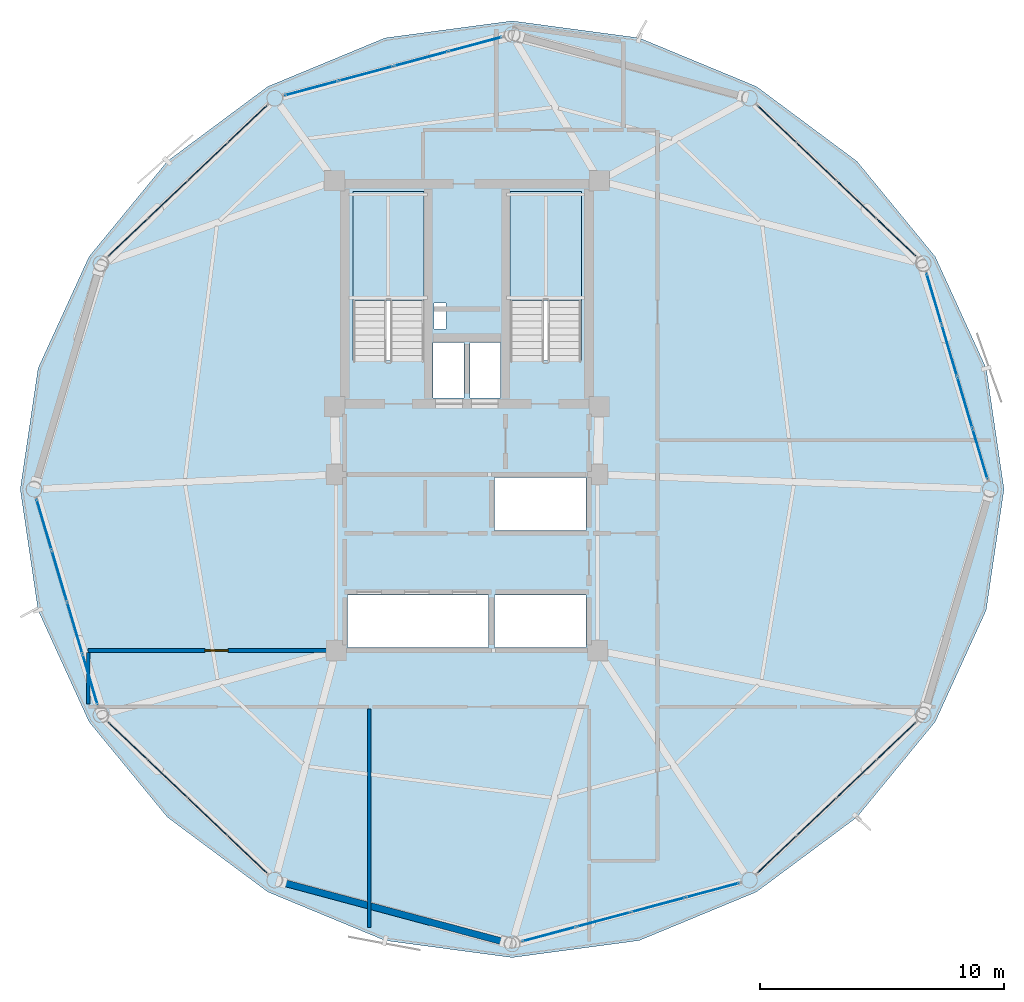
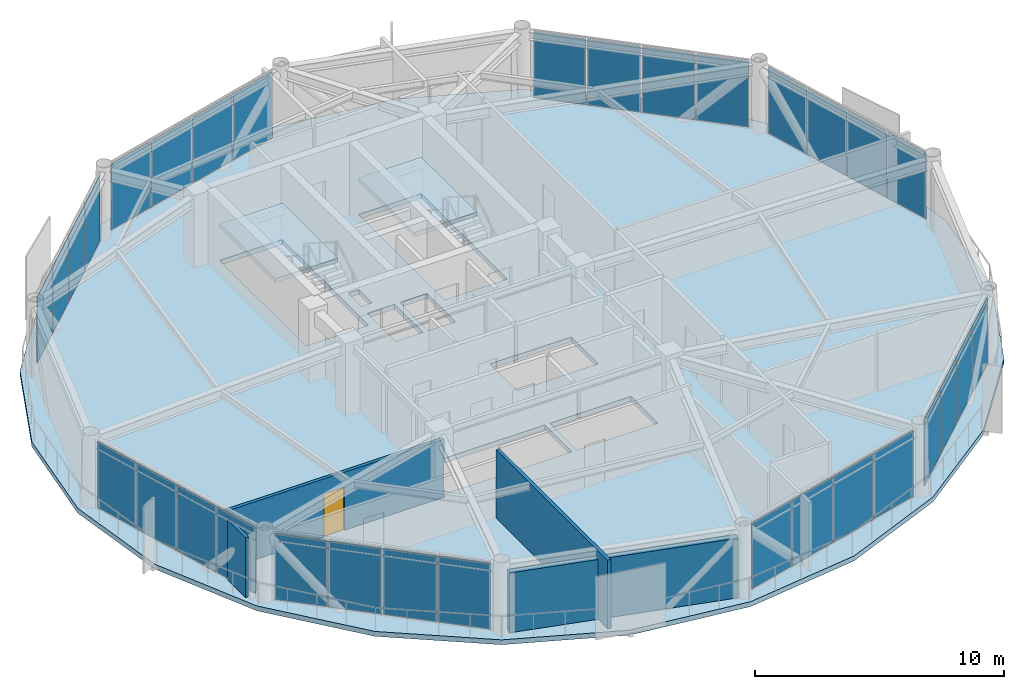
# One storey, part 23 of 29: 32 plates, 4 walls, 3 slabs, 1 door, 1 opening, 10 elements without a shape of their own.
"""IFC4 building model written with IfcOpenShell, lengths in metres."""

from ifc_helpers import new_model, si_unit, direction, frame, frame_2d, origin, origin_2d, place, context, subcontext, project, spatial, polyline, rectangle, outline, extrude, source, transform, mapped, material, layer, layer_set, type_object, type_shapes, element, fill, aggregate, save


model = new_model("IFC4")

# Units and contexts
model_context = context("Model", 3, precision=1e-05, world=origin(), true_north=direction((0.0, 1.0)))
body_context = subcontext(model_context, "Body", "Model", "MODEL_VIEW")
ifc_project = project(units=[si_unit("LENGTHUNIT", "METRE"), si_unit("AREAUNIT", "SQUARE_METRE"), si_unit("VOLUMEUNIT", "CUBIC_METRE"), si_unit("PLANEANGLEUNIT", "RADIAN"), si_unit("MASSUNIT", "GRAM", prefix="KILO")], contexts=[model_context])

# Site, building, storey
site_placement = place(None, origin())
site = spatial("IfcSite", under=ifc_project, at=site_placement, CompositionType="ELEMENT")
building_placement = place(site_placement, origin())
building = spatial("IfcBuilding", under=site, at=building_placement, Name="Varnakorn Sky Granary", CompositionType="ELEMENT")
storey_placement = place(building_placement, frame((0.0, 0.0, 189.60009765625)))
storey = spatial("IfcBuildingStorey", under=building, at=storey_placement, Name="L47", CompositionType="ELEMENT", Elevation=189.60009765625)

# Stair, slab
ifc_material_1 = material(Name="Concrete C40/50", Category="concrete")
stair_type = type_object("IfcStairType", Name="ST-MAIN-ASSEMBLY", PredefinedType="HALF_TURN_STAIR", material=ifc_material_1)
stair_1_placement = place(storey_placement, origin())
stair_1 = element("IfcStair", 1, at=stair_1_placement, inside=storey, type_object=stair_type, Name="L47 Protected Exit Stair ST-1", PredefinedType="HALF_TURN_STAIR")
ifc_layer_1 = layer(ifc_material_1, 0.199951171875, Name="Concrete C40/50")
ifc_layer_set_1 = layer_set([ifc_layer_1], Name="Concrete C40/50")
slab_type_1 = type_object("IfcSlabType", Name="ST-MAIN-LAND", PredefinedType="LANDING", material=ifc_layer_set_1)
slab_1_placement = place(storey_placement, frame((0.0, 0.0, 1.599853515625)))
slab_1 = element("IfcSlab", 2, at=slab_1_placement, type_object=slab_type_1, Name="ST-1 landing 1", PredefinedType="LANDING", context=body_context, shape_type="SweptSolid", body=[
    extrude(outline(polyline([(1.239990234375, 7.719970703125), (1.239990234375, 12.179931640625), (-1.669921875, 12.179931640625), (-1.669921875, 7.719970703125), (1.239990234375, 7.719970703125)])), origin(), (0.0, 0.0, 1.0), 0.199951171875),
])
aggregate(stair_1, [slab_1])

stair_2_placement = place(storey_placement, origin())
stair_2 = element("IfcStair", 3, at=stair_2_placement, inside=storey, type_object=stair_type, Name="L47 Protected Exit Stair ST-2", PredefinedType="HALF_TURN_STAIR")
slab_2_placement = place(storey_placement, frame((0.0, 0.0, 1.599853515625)))
slab_2 = element("IfcSlab", 4, at=slab_2_placement, type_object=slab_type_1, Name="ST-2 landing 1", PredefinedType="LANDING", context=body_context, shape_type="SweptSolid", body=[
    extrude(outline(polyline([(7.679931640625, 7.719970703125), (7.679931640625, 12.179931640625), (4.77001953125, 12.179931640625), (4.77001953125, 7.719970703125), (7.679931640625, 7.719970703125)])), origin(), (0.0, 0.0, 1.0), 0.199951171875),
])
aggregate(stair_2, [slab_2])

# Slab
ifc_material_2 = material(Name="Concrete C50/60", Category="concrete")
ifc_layer_2 = layer(ifc_material_2, 0.239990234375, Name="Concrete C50/60")
ifc_layer_set_2 = layer_set([ifc_layer_2], Name="Concrete C50/60")
slab_type_2 = type_object("IfcSlabType", Name="ST-SL-TWR-240", PredefinedType="FLOOR", material=ifc_layer_set_2)
slab_3_placement = place(storey_placement, frame((0.0, 0.0, -0.239990234375)))
element("IfcSlab", 5, at=slab_3_placement, inside=storey, type_object=slab_type_2, Name="Level L47 Structural Floor Slab", PredefinedType="FLOOR", context=body_context, shape_type="SweptSolid", body=[
    extrude(outline(polyline([(24.97900390625, 0.0), (24.249755859375, 4.948486328125), (22.165283203125, 9.514892578125), (18.9560546875, 13.42431640625), (14.846923828125, 16.48046875), (10.048095703125, 18.468505859375), (4.85009765625, 19.1650390625), (-0.34814453125, 18.468505859375), (-5.14697265625, 16.48046875), (-9.256103515625, 13.42431640625), (-12.46533203125, 9.514892578125), (-14.5498046875, 4.948486328125), (-15.279052734375, 0.0), (-14.5498046875, -4.948486328125), (-12.46533203125, -9.514892578125), (-9.256103515625, -13.42431640625), (-5.14697265625, -16.48046875), (-0.34814453125, -18.468505859375), (4.85009765625, -19.1650390625), (10.048095703125, -18.468505859375), (14.846923828125, -16.48046875), (18.9560546875, -13.42431640625), (22.165283203125, -9.514892578125), (24.249755859375, -4.948486328125), (24.97900390625, 0.0)]), holes=[polyline([(1.239990234375, 5.27490234375), (1.239990234375, 12.179931640625), (-1.669921875, 12.179931640625), (-1.669921875, 5.27490234375), (1.239990234375, 5.27490234375)]), polyline([(7.679931640625, 5.27490234375), (7.679931640625, 12.179931640625), (4.77001953125, 12.179931640625), (4.77001953125, 5.27490234375), (7.679931640625, 5.27490234375)]), polyline([(1.659912109375, 6.550048828125), (2.14990234375, 6.550048828125), (2.14990234375, 7.6201171875), (1.659912109375, 7.6201171875), (1.659912109375, 6.550048828125)]), polyline([(1.6201171875, 3.739990234375), (2.8798828125, 3.739990234375), (2.8798828125, 6.010009765625), (1.6201171875, 6.010009765625), (1.6201171875, 3.739990234375)]), polyline([(3.1201171875, 3.739990234375), (4.3798828125, 3.739990234375), (4.3798828125, 6.010009765625), (3.1201171875, 6.010009765625), (3.1201171875, 3.739990234375)]), polyline([(4.1201171875, -1.679931640625), (7.8798828125, -1.679931640625), (7.8798828125, 0.47998046875), (4.1201171875, 0.47998046875), (4.1201171875, -1.679931640625)]), polyline([(-1.8798828125, -6.47998046875), (3.8798828125, -6.47998046875), (3.8798828125, -4.320068359375), (-1.8798828125, -4.320068359375), (-1.8798828125, -6.47998046875)]), polyline([(4.1201171875, -6.47998046875), (7.8798828125, -6.47998046875), (7.8798828125, -4.320068359375), (4.1201171875, -4.320068359375), (4.1201171875, -6.47998046875)])]), origin(), (0.0, 0.0, 1.0), 0.239990234375),
])

# Curtain wall, plates
ifc_material_3 = material(Name="Anodised Bronze Aluminium Alloy 6063-T6", Category="aluminium")
ifc_layer_3 = layer(ifc_material_3, 0.169921875, Name="Anodised Bronze Aluminium Alloy 6063-T6")
ifc_layer_set_3 = layer_set([ifc_layer_3], Name="Anodised Bronze Aluminium Alloy 6063-T6")
curtain_wall_type = type_object("IfcCurtainWallType", Name="CW-LAB-1", PredefinedType="USERDEFINED", material=ifc_layer_set_3)
curtain_wall_1_placement = place(storey_placement, origin())
curtain_wall_1 = element("IfcCurtainWall", 6, at=curtain_wall_1_placement, inside=storey, type_object=curtain_wall_type, Name="Unitised Curtain Wall CW5 CW-L47-B01", ObjectType="CURTAIN WALL", PredefinedType="USERDEFINED")
ifc_material_4 = material(Name="Opaque Insulated Aluminium Shadow-Box Unit", Category="aluminium")
ifc_layer_4 = layer(ifc_material_4, 0.033935546875, Name="Opaque Insulated Aluminium Shadow-Box Unit")
ifc_layer_set_4 = layer_set([ifc_layer_4], Name="Opaque Insulated Aluminium Shadow-Box Unit")
plate_type = type_object("IfcPlateType", Name="CW-LAB-1-PNL", PredefinedType="CURTAIN_PANEL")
shared_shape_1 = source(origin(), body_context, "Body", "SweptSolid", [
    extrude(rectangle(XDim=2.116943359375, YDim=0.033935546875, at=origin_2d()), origin(), (0.0, 0.0, 1.0), 3.219970703125),
])
plate_1_placement = place(storey_placement, frame((22.119384765625, 7.7890625, 0.06982421875), z_axis=(0.0, 0.0, 1.0), x_axis=(0.284295123796, -0.958736816121, 0.0)))
plate_1 = element("IfcPlate", 7, at=plate_1_placement, type_object=plate_type, material=ifc_layer_set_4, Name="CW5 opaque insulated shadow-box unit 1.1", PredefinedType="CURTAIN_PANEL", context=body_context, shape_type="MappedRepresentation", body=[
    mapped(shared_shape_1, transform((0.0, 0.0, 0.0), x_axis=(1.0, 0.0, 0.0), y_axis=(0.0, 1.0, 0.0), z_axis=(0.0, 0.0, 1.0), scale=1.0)),
])
ifc_material_5 = material(Name="Low-E Tinted Laminated Glass", Category="glass")
ifc_layer_5 = layer(ifc_material_5, 0.033935546875, Name="Low-E Tinted Laminated Glass")
ifc_layer_set_5 = layer_set([ifc_layer_5], Name="Low-E Tinted Laminated Glass")
plate_2_placement = place(storey_placement, frame((23.998779296875, 1.450927734375, 0.06982421875), z_axis=(0.0, 0.0, 1.0), x_axis=(0.284295123796, -0.958736816121, 0.0)))
plate_2 = element("IfcPlate", 8, at=plate_2_placement, type_object=plate_type, material=ifc_layer_set_5, Name="CW5 vision glazing unit 4.1", PredefinedType="CURTAIN_PANEL", context=body_context, shape_type="MappedRepresentation", body=[
    mapped(shared_shape_1, transform((0.0, 0.0, 0.0), x_axis=(1.0, 0.0, 0.0), y_axis=(0.0, 1.0, 0.0), z_axis=(0.0, 0.0, 1.0), scale=1.0)),
])

curtain_wall_2_placement = place(storey_placement, origin())
curtain_wall_2 = element("IfcCurtainWall", 9, at=curtain_wall_2_placement, inside=storey, type_object=curtain_wall_type, Name="Unitised Curtain Wall CW5 CW-L47-B07", ObjectType="CURTAIN WALL", PredefinedType="USERDEFINED")
plate_3_placement = place(storey_placement, frame((-12.419189453125, -7.7890625, 0.06982421875), z_axis=(0.0, 0.0, 1.0), x_axis=(-0.284295123796, 0.958736816121, 0.0)))
plate_3 = element("IfcPlate", 10, at=plate_3_placement, type_object=plate_type, material=ifc_layer_set_4, Name="CW5 opaque insulated shadow-box unit 1.1", PredefinedType="CURTAIN_PANEL", context=body_context, shape_type="MappedRepresentation", body=[
    mapped(shared_shape_1, transform((0.0, 0.0, 0.0), x_axis=(1.0, 0.0, 0.0), y_axis=(0.0, 1.0, 0.0), z_axis=(0.0, 0.0, 1.0), scale=1.0)),
])
plate_4_placement = place(storey_placement, frame((-14.298583984375, -1.450927734375, 0.06982421875), z_axis=(0.0, 0.0, 1.0), x_axis=(-0.284295123796, 0.958736816121, 0.0)))
plate_4 = element("IfcPlate", 11, at=plate_4_placement, type_object=plate_type, material=ifc_layer_set_5, Name="CW5 vision glazing unit 4.1", PredefinedType="CURTAIN_PANEL", context=body_context, shape_type="MappedRepresentation", body=[
    mapped(shared_shape_1, transform((0.0, 0.0, 0.0), x_axis=(1.0, 0.0, 0.0), y_axis=(0.0, 1.0, 0.0), z_axis=(0.0, 0.0, 1.0), scale=1.0)),
])

# Plate
shared_shape_2 = source(origin(), body_context, "Body", "SweptSolid", [
    extrude(rectangle(XDim=2.1494140625, YDim=0.033935546875, at=origin_2d()), origin(), (0.0, 0.0, 1.0), 3.219970703125),
])
plate_5_placement = place(storey_placement, frame((22.744140625, 5.681640625, 0.06982421875), z_axis=(0.0, 0.0, 1.0), x_axis=(0.284295123796, -0.958736816121, 0.0)))
plate_5 = element("IfcPlate", 12, at=plate_5_placement, type_object=plate_type, material=ifc_layer_set_4, Name="CW5 opaque insulated shadow-box unit 2.1", PredefinedType="CURTAIN_PANEL", context=body_context, shape_type="MappedRepresentation", body=[
    mapped(shared_shape_2, transform((0.0, 0.0, 0.0), x_axis=(1.0, 0.0, 0.0), y_axis=(0.0, 1.0, 0.0), z_axis=(0.0, 0.0, 1.0), scale=1.0)),
])

plate_6_placement = place(storey_placement, frame((23.373779296875, 3.55859375, 0.06982421875), z_axis=(0.0, 0.0, 1.0), x_axis=(0.284295123796, -0.958736816121, 0.0)))
plate_6 = element("IfcPlate", 13, at=plate_6_placement, type_object=plate_type, material=ifc_layer_set_5, Name="CW5 vision glazing unit 3.1", PredefinedType="CURTAIN_PANEL", context=body_context, shape_type="MappedRepresentation", body=[
    mapped(shared_shape_2, transform((0.0, 0.0, 0.0), x_axis=(1.0, 0.0, 0.0), y_axis=(0.0, 1.0, 0.0), z_axis=(0.0, 0.0, 1.0), scale=1.0)),
])

aggregate(curtain_wall_1, [plate_1, plate_5, plate_6, plate_2])

plate_7_placement = place(storey_placement, frame((-13.044189453125, -5.681640625, 0.06982421875), z_axis=(0.0, 0.0, 1.0), x_axis=(-0.284295123796, 0.958736816121, 0.0)))
plate_7 = element("IfcPlate", 14, at=plate_7_placement, type_object=plate_type, material=ifc_layer_set_4, Name="CW5 opaque insulated shadow-box unit 2.1", PredefinedType="CURTAIN_PANEL", context=body_context, shape_type="MappedRepresentation", body=[
    mapped(shared_shape_2, transform((0.0, 0.0, 0.0), x_axis=(1.0, 0.0, 0.0), y_axis=(0.0, 1.0, 0.0), z_axis=(0.0, 0.0, 1.0), scale=1.0)),
])

plate_8_placement = place(storey_placement, frame((-13.673828125, -3.55859375, 0.06982421875), z_axis=(0.0, 0.0, 1.0), x_axis=(-0.284295123796, 0.958736816121, 0.0)))
plate_8 = element("IfcPlate", 15, at=plate_8_placement, type_object=plate_type, material=ifc_layer_set_5, Name="CW5 vision glazing unit 3.1", PredefinedType="CURTAIN_PANEL", context=body_context, shape_type="MappedRepresentation", body=[
    mapped(shared_shape_2, transform((0.0, 0.0, 0.0), x_axis=(1.0, 0.0, 0.0), y_axis=(0.0, 1.0, 0.0), z_axis=(0.0, 0.0, 1.0), scale=1.0)),
])

aggregate(curtain_wall_2, [plate_3, plate_7, plate_8, plate_4])

# Curtain wall, plates
curtain_wall_3_placement = place(storey_placement, origin())
curtain_wall_3 = element("IfcCurtainWall", 16, at=curtain_wall_3_placement, inside=storey, type_object=curtain_wall_type, Name="Unitised Curtain Wall CW5 CW-L47-B02", ObjectType="CURTAIN WALL", PredefinedType="USERDEFINED")
shared_shape_3 = source(origin(), body_context, "Body", "SweptSolid", [
    extrude(rectangle(XDim=2.162109375, YDim=0.033935546875, at=origin_2d()), origin(), (0.0, 0.0, 1.0), 3.219970703125),
])
plate_9_placement = place(storey_placement, frame((15.685546875, 14.94580078125, 0.06982421875), z_axis=(0.0, 0.0, 1.0), x_axis=(0.724851357674, -0.688905297757, 0.0)))
plate_9 = element("IfcPlate", 17, at=plate_9_placement, type_object=plate_type, material=ifc_layer_set_5, Name="CW5 vision glazing unit 1.1", PredefinedType="CURTAIN_PANEL", context=body_context, shape_type="MappedRepresentation", body=[
    mapped(shared_shape_3, transform((0.0, 0.0, 0.0), x_axis=(1.0, 0.0, 0.0), y_axis=(0.0, 1.0, 0.0), z_axis=(0.0, 0.0, 1.0), scale=1.0)),
])
plate_10_placement = place(storey_placement, frame((20.57568359375, 10.29833984375, 0.06982421875), z_axis=(0.0, 0.0, 1.0), x_axis=(0.724851357674, -0.688905297757, 0.0)))
plate_10 = element("IfcPlate", 18, at=plate_10_placement, type_object=plate_type, material=ifc_layer_set_4, Name="CW5 opaque insulated shadow-box unit 4.1", PredefinedType="CURTAIN_PANEL", context=body_context, shape_type="MappedRepresentation", body=[
    mapped(shared_shape_3, transform((0.0, 0.0, 0.0), x_axis=(1.0, 0.0, 0.0), y_axis=(0.0, 1.0, 0.0), z_axis=(0.0, 0.0, 1.0), scale=1.0)),
])

curtain_wall_4_placement = place(storey_placement, origin())
curtain_wall_4 = element("IfcCurtainWall", 19, at=curtain_wall_4_placement, inside=storey, type_object=curtain_wall_type, Name="Unitised Curtain Wall CW5 CW-L47-B05", ObjectType="CURTAIN WALL", PredefinedType="USERDEFINED")
plate_11_placement = place(storey_placement, frame((-10.87548828125, 10.29833984375, 0.06982421875), z_axis=(0.0, 0.0, 1.0), x_axis=(0.724851357674, 0.688905297757, 0.0)))
plate_11 = element("IfcPlate", 20, at=plate_11_placement, type_object=plate_type, material=ifc_layer_set_4, Name="CW5 opaque insulated shadow-box unit 1.1", PredefinedType="CURTAIN_PANEL", context=body_context, shape_type="MappedRepresentation", body=[
    mapped(shared_shape_3, transform((0.0, 0.0, 0.0), x_axis=(1.0, 0.0, 0.0), y_axis=(0.0, 1.0, 0.0), z_axis=(0.0, 0.0, 1.0), scale=1.0)),
])
plate_12_placement = place(storey_placement, frame((-5.9853515625, 14.94580078125, 0.06982421875), z_axis=(0.0, 0.0, 1.0), x_axis=(0.724851357674, 0.688905297757, 0.0)))
plate_12 = element("IfcPlate", 21, at=plate_12_placement, type_object=plate_type, material=ifc_layer_set_5, Name="CW5 vision glazing unit 4.1", PredefinedType="CURTAIN_PANEL", context=body_context, shape_type="MappedRepresentation", body=[
    mapped(shared_shape_3, transform((0.0, 0.0, 0.0), x_axis=(1.0, 0.0, 0.0), y_axis=(0.0, 1.0, 0.0), z_axis=(0.0, 0.0, 1.0), scale=1.0)),
])

curtain_wall_5_placement = place(storey_placement, origin())
curtain_wall_5 = element("IfcCurtainWall", 22, at=curtain_wall_5_placement, inside=storey, type_object=curtain_wall_type, Name="Unitised Curtain Wall CW5 CW-L47-B08", ObjectType="CURTAIN WALL", PredefinedType="USERDEFINED")
plate_13_placement = place(storey_placement, frame((-5.9853515625, -14.94580078125, 0.06982421875), z_axis=(0.0, 0.0, 1.0), x_axis=(-0.724851357674, 0.688905297757, 0.0)))
plate_13 = element("IfcPlate", 23, at=plate_13_placement, type_object=plate_type, material=ifc_layer_set_5, Name="CW5 vision glazing unit 1.1", PredefinedType="CURTAIN_PANEL", context=body_context, shape_type="MappedRepresentation", body=[
    mapped(shared_shape_3, transform((0.0, 0.0, 0.0), x_axis=(1.0, 0.0, 0.0), y_axis=(0.0, 1.0, 0.0), z_axis=(0.0, 0.0, 1.0), scale=1.0)),
])
plate_14_placement = place(storey_placement, frame((-10.87548828125, -10.29833984375, 0.06982421875), z_axis=(0.0, 0.0, 1.0), x_axis=(-0.724851357674, 0.688905297757, 0.0)))
plate_14 = element("IfcPlate", 24, at=plate_14_placement, type_object=plate_type, material=ifc_layer_set_4, Name="CW5 opaque insulated shadow-box unit 4.1", PredefinedType="CURTAIN_PANEL", context=body_context, shape_type="MappedRepresentation", body=[
    mapped(shared_shape_3, transform((0.0, 0.0, 0.0), x_axis=(1.0, 0.0, 0.0), y_axis=(0.0, 1.0, 0.0), z_axis=(0.0, 0.0, 1.0), scale=1.0)),
])

curtain_wall_6_placement = place(storey_placement, origin())
curtain_wall_6 = element("IfcCurtainWall", 25, at=curtain_wall_6_placement, inside=storey, type_object=curtain_wall_type, Name="Unitised Curtain Wall CW5 CW-L47-B11", ObjectType="CURTAIN WALL", PredefinedType="USERDEFINED")
plate_15_placement = place(storey_placement, frame((20.57568359375, -10.29833984375, 0.06982421875), z_axis=(0.0, 0.0, 1.0), x_axis=(-0.724851357674, -0.688905297757, 0.0)))
plate_15 = element("IfcPlate", 26, at=plate_15_placement, type_object=plate_type, material=ifc_layer_set_4, Name="CW5 opaque insulated shadow-box unit 1.1", PredefinedType="CURTAIN_PANEL", context=body_context, shape_type="MappedRepresentation", body=[
    mapped(shared_shape_3, transform((0.0, 0.0, 0.0), x_axis=(1.0, 0.0, 0.0), y_axis=(0.0, 1.0, 0.0), z_axis=(0.0, 0.0, 1.0), scale=1.0)),
])
plate_16_placement = place(storey_placement, frame((15.685546875, -14.94580078125, 0.06982421875), z_axis=(0.0, 0.0, 1.0), x_axis=(-0.724851357674, -0.688905297757, 0.0)))
plate_16 = element("IfcPlate", 27, at=plate_16_placement, type_object=plate_type, material=ifc_layer_set_5, Name="CW5 vision glazing unit 4.1", PredefinedType="CURTAIN_PANEL", context=body_context, shape_type="MappedRepresentation", body=[
    mapped(shared_shape_3, transform((0.0, 0.0, 0.0), x_axis=(1.0, 0.0, 0.0), y_axis=(0.0, 1.0, 0.0), z_axis=(0.0, 0.0, 1.0), scale=1.0)),
])

# Plate
shared_shape_4 = source(origin(), body_context, "Body", "SweptSolid", [
    extrude(rectangle(XDim=2.194580078125, YDim=0.033935546875, at=origin_2d()), origin(), (0.0, 0.0, 1.0), 3.219970703125),
])
plate_17_placement = place(storey_placement, frame((17.3115234375, 13.400390625, 0.06982421875), z_axis=(0.0, 0.0, 1.0), x_axis=(0.724851357674, -0.688905297757, 0.0)))
plate_17 = element("IfcPlate", 28, at=plate_17_placement, type_object=plate_type, material=ifc_layer_set_5, Name="CW5 vision glazing unit 2.1", PredefinedType="CURTAIN_PANEL", context=body_context, shape_type="MappedRepresentation", body=[
    mapped(shared_shape_4, transform((0.0, 0.0, 0.0), x_axis=(1.0, 0.0, 0.0), y_axis=(0.0, 1.0, 0.0), z_axis=(0.0, 0.0, 1.0), scale=1.0)),
])

plate_18_placement = place(storey_placement, frame((18.949462890625, 11.84375, 0.06982421875), z_axis=(0.0, 0.0, 1.0), x_axis=(0.724851357674, -0.688905297757, 0.0)))
plate_18 = element("IfcPlate", 29, at=plate_18_placement, type_object=plate_type, material=ifc_layer_set_4, Name="CW5 opaque insulated shadow-box unit 3.1", PredefinedType="CURTAIN_PANEL", context=body_context, shape_type="MappedRepresentation", body=[
    mapped(shared_shape_4, transform((0.0, 0.0, 0.0), x_axis=(1.0, 0.0, 0.0), y_axis=(0.0, 1.0, 0.0), z_axis=(0.0, 0.0, 1.0), scale=1.0)),
])

aggregate(curtain_wall_3, [plate_9, plate_17, plate_18, plate_10])

plate_19_placement = place(storey_placement, frame((-9.24951171875, 11.84375, 0.06982421875), z_axis=(0.0, 0.0, 1.0), x_axis=(0.724851357674, 0.688905297757, 0.0)))
plate_19 = element("IfcPlate", 30, at=plate_19_placement, type_object=plate_type, material=ifc_layer_set_4, Name="CW5 opaque insulated shadow-box unit 2.1", PredefinedType="CURTAIN_PANEL", context=body_context, shape_type="MappedRepresentation", body=[
    mapped(shared_shape_4, transform((0.0, 0.0, 0.0), x_axis=(1.0, 0.0, 0.0), y_axis=(0.0, 1.0, 0.0), z_axis=(0.0, 0.0, 1.0), scale=1.0)),
])

plate_20_placement = place(storey_placement, frame((-7.611572265625, 13.400390625, 0.06982421875), z_axis=(0.0, 0.0, 1.0), x_axis=(0.724851357674, 0.688905297757, 0.0)))
plate_20 = element("IfcPlate", 31, at=plate_20_placement, type_object=plate_type, material=ifc_layer_set_5, Name="CW5 vision glazing unit 3.1", PredefinedType="CURTAIN_PANEL", context=body_context, shape_type="MappedRepresentation", body=[
    mapped(shared_shape_4, transform((0.0, 0.0, 0.0), x_axis=(1.0, 0.0, 0.0), y_axis=(0.0, 1.0, 0.0), z_axis=(0.0, 0.0, 1.0), scale=1.0)),
])

aggregate(curtain_wall_4, [plate_11, plate_19, plate_20, plate_12])

plate_21_placement = place(storey_placement, frame((-7.611572265625, -13.400390625, 0.06982421875), z_axis=(0.0, 0.0, 1.0), x_axis=(-0.724851357674, 0.688905297757, 0.0)))
plate_21 = element("IfcPlate", 32, at=plate_21_placement, type_object=plate_type, material=ifc_layer_set_5, Name="CW5 vision glazing unit 2.1", PredefinedType="CURTAIN_PANEL", context=body_context, shape_type="MappedRepresentation", body=[
    mapped(shared_shape_4, transform((0.0, 0.0, 0.0), x_axis=(1.0, 0.0, 0.0), y_axis=(0.0, 1.0, 0.0), z_axis=(0.0, 0.0, 1.0), scale=1.0)),
])

plate_22_placement = place(storey_placement, frame((-9.24951171875, -11.84375, 0.06982421875), z_axis=(0.0, 0.0, 1.0), x_axis=(-0.724851357674, 0.688905297757, 0.0)))
plate_22 = element("IfcPlate", 33, at=plate_22_placement, type_object=plate_type, material=ifc_layer_set_4, Name="CW5 opaque insulated shadow-box unit 3.1", PredefinedType="CURTAIN_PANEL", context=body_context, shape_type="MappedRepresentation", body=[
    mapped(shared_shape_4, transform((0.0, 0.0, 0.0), x_axis=(1.0, 0.0, 0.0), y_axis=(0.0, 1.0, 0.0), z_axis=(0.0, 0.0, 1.0), scale=1.0)),
])

aggregate(curtain_wall_5, [plate_13, plate_21, plate_22, plate_14])

plate_23_placement = place(storey_placement, frame((18.949462890625, -11.84375, 0.06982421875), z_axis=(0.0, 0.0, 1.0), x_axis=(-0.724851357674, -0.688905297757, 0.0)))
plate_23 = element("IfcPlate", 34, at=plate_23_placement, type_object=plate_type, material=ifc_layer_set_4, Name="CW5 opaque insulated shadow-box unit 2.1", PredefinedType="CURTAIN_PANEL", context=body_context, shape_type="MappedRepresentation", body=[
    mapped(shared_shape_4, transform((0.0, 0.0, 0.0), x_axis=(1.0, 0.0, 0.0), y_axis=(0.0, 1.0, 0.0), z_axis=(0.0, 0.0, 1.0), scale=1.0)),
])

plate_24_placement = place(storey_placement, frame((17.3115234375, -13.400390625, 0.06982421875), z_axis=(0.0, 0.0, 1.0), x_axis=(-0.724851357674, -0.688905297757, 0.0)))
plate_24 = element("IfcPlate", 35, at=plate_24_placement, type_object=plate_type, material=ifc_layer_set_5, Name="CW5 vision glazing unit 3.1", PredefinedType="CURTAIN_PANEL", context=body_context, shape_type="MappedRepresentation", body=[
    mapped(shared_shape_4, transform((0.0, 0.0, 0.0), x_axis=(1.0, 0.0, 0.0), y_axis=(0.0, 1.0, 0.0), z_axis=(0.0, 0.0, 1.0), scale=1.0)),
])

aggregate(curtain_wall_6, [plate_15, plate_23, plate_24, plate_16])

# Curtain wall, plates
curtain_wall_7_placement = place(storey_placement, origin())
curtain_wall_7 = element("IfcCurtainWall", 36, at=curtain_wall_7_placement, inside=storey, type_object=curtain_wall_type, Name="Unitised Curtain Wall CW5 CW-L47-B04", ObjectType="CURTAIN WALL", PredefinedType="USERDEFINED")
shared_shape_5 = source(origin(), body_context, "Body", "SweptSolid", [
    extrude(rectangle(XDim=2.22412109375, YDim=0.033935546875, at=origin_2d()), origin(), (0.0, 0.0, 1.0), 3.219970703125),
])
plate_25_placement = place(storey_placement, frame((-3.358642578125, 16.41064453125, 0.06982421875), z_axis=(0.0, 0.0, 1.0), x_axis=(0.965781085342, 0.259358622753, 0.0)))
plate_25 = element("IfcPlate", 37, at=plate_25_placement, type_object=plate_type, material=ifc_layer_set_5, Name="CW5 vision glazing unit 1.1", PredefinedType="CURTAIN_PANEL", context=body_context, shape_type="MappedRepresentation", body=[
    mapped(shared_shape_5, transform((0.0, 0.0, 0.0), x_axis=(1.0, 0.0, 0.0), y_axis=(0.0, 1.0, 0.0), z_axis=(0.0, 0.0, 1.0), scale=1.0)),
])
plate_26_placement = place(storey_placement, frame((3.33642578125, 18.20849609375, 0.06982421875), z_axis=(0.0, 0.0, 1.0), x_axis=(0.965781085342, 0.259358622753, 0.0)))
plate_26 = element("IfcPlate", 38, at=plate_26_placement, type_object=plate_type, material=ifc_layer_set_4, Name="CW5 opaque insulated shadow-box unit 4.1", PredefinedType="CURTAIN_PANEL", context=body_context, shape_type="MappedRepresentation", body=[
    mapped(shared_shape_5, transform((0.0, 0.0, 0.0), x_axis=(1.0, 0.0, 0.0), y_axis=(0.0, 1.0, 0.0), z_axis=(0.0, 0.0, 1.0), scale=1.0)),
])

curtain_wall_8_placement = place(storey_placement, origin())
curtain_wall_8 = element("IfcCurtainWall", 39, at=curtain_wall_8_placement, inside=storey, type_object=curtain_wall_type, Name="Unitised Curtain Wall CW5 CW-L47-B10", ObjectType="CURTAIN WALL", PredefinedType="USERDEFINED")
plate_27_placement = place(storey_placement, frame((13.05859375, -16.41064453125, 0.06982421875), z_axis=(0.0, 0.0, 1.0), x_axis=(-0.965781085342, -0.259358622753, 0.0)))
plate_27 = element("IfcPlate", 40, at=plate_27_placement, type_object=plate_type, material=ifc_layer_set_5, Name="CW5 vision glazing unit 1.1", PredefinedType="CURTAIN_PANEL", context=body_context, shape_type="MappedRepresentation", body=[
    mapped(shared_shape_5, transform((0.0, 0.0, 0.0), x_axis=(1.0, 0.0, 0.0), y_axis=(0.0, 1.0, 0.0), z_axis=(0.0, 0.0, 1.0), scale=1.0)),
])
plate_28_placement = place(storey_placement, frame((6.363525390625, -18.20849609375, 0.06982421875), z_axis=(0.0, 0.0, 1.0), x_axis=(-0.965781085342, -0.259358622753, 0.0)))
plate_28 = element("IfcPlate", 41, at=plate_28_placement, type_object=plate_type, material=ifc_layer_set_4, Name="CW5 opaque insulated shadow-box unit 4.1", PredefinedType="CURTAIN_PANEL", context=body_context, shape_type="MappedRepresentation", body=[
    mapped(shared_shape_5, transform((0.0, 0.0, 0.0), x_axis=(1.0, 0.0, 0.0), y_axis=(0.0, 1.0, 0.0), z_axis=(0.0, 0.0, 1.0), scale=1.0)),
])

# Plate
shared_shape_6 = source(origin(), body_context, "Body", "SweptSolid", [
    extrude(rectangle(XDim=2.256591796875, YDim=0.033935546875, at=origin_2d()), origin(), (0.0, 0.0, 1.0), 3.219970703125),
])
type_shapes(plate_type, [shared_shape_1, shared_shape_2, shared_shape_3, shared_shape_4, shared_shape_5, shared_shape_6])
plate_29_placement = place(storey_placement, frame((-1.132080078125, 17.008544921875, 0.06982421875), z_axis=(0.0, 0.0, 1.0), x_axis=(0.965781085342, 0.259358622753, 0.0)))
plate_29 = element("IfcPlate", 42, at=plate_29_placement, type_object=plate_type, material=ifc_layer_set_5, Name="CW5 vision glazing unit 2.1", PredefinedType="CURTAIN_PANEL", context=body_context, shape_type="MappedRepresentation", body=[
    mapped(shared_shape_6, transform((0.0, 0.0, 0.0), x_axis=(1.0, 0.0, 0.0), y_axis=(0.0, 1.0, 0.0), z_axis=(0.0, 0.0, 1.0), scale=1.0)),
])

plate_30_placement = place(storey_placement, frame((1.110107421875, 17.610595703125, 0.06982421875), z_axis=(0.0, 0.0, 1.0), x_axis=(0.965781085342, 0.259358622753, 0.0)))
plate_30 = element("IfcPlate", 43, at=plate_30_placement, type_object=plate_type, material=ifc_layer_set_4, Name="CW5 opaque insulated shadow-box unit 3.1", PredefinedType="CURTAIN_PANEL", context=body_context, shape_type="MappedRepresentation", body=[
    mapped(shared_shape_6, transform((0.0, 0.0, 0.0), x_axis=(1.0, 0.0, 0.0), y_axis=(0.0, 1.0, 0.0), z_axis=(0.0, 0.0, 1.0), scale=1.0)),
])

aggregate(curtain_wall_7, [plate_25, plate_29, plate_30, plate_26])

plate_31_placement = place(storey_placement, frame((10.83203125, -17.008544921875, 0.06982421875), z_axis=(0.0, 0.0, 1.0), x_axis=(-0.965781085342, -0.259358622753, 0.0)))
plate_31 = element("IfcPlate", 44, at=plate_31_placement, type_object=plate_type, material=ifc_layer_set_5, Name="CW5 vision glazing unit 2.1", PredefinedType="CURTAIN_PANEL", context=body_context, shape_type="MappedRepresentation", body=[
    mapped(shared_shape_6, transform((0.0, 0.0, 0.0), x_axis=(1.0, 0.0, 0.0), y_axis=(0.0, 1.0, 0.0), z_axis=(0.0, 0.0, 1.0), scale=1.0)),
])

plate_32_placement = place(storey_placement, frame((8.58984375, -17.610595703125, 0.06982421875), z_axis=(0.0, 0.0, 1.0), x_axis=(-0.965781085342, -0.259358622753, 0.0)))
plate_32 = element("IfcPlate", 45, at=plate_32_placement, type_object=plate_type, material=ifc_layer_set_4, Name="CW5 opaque insulated shadow-box unit 3.1", PredefinedType="CURTAIN_PANEL", context=body_context, shape_type="MappedRepresentation", body=[
    mapped(shared_shape_6, transform((0.0, 0.0, 0.0), x_axis=(1.0, 0.0, 0.0), y_axis=(0.0, 1.0, 0.0), z_axis=(0.0, 0.0, 1.0), scale=1.0)),
])

aggregate(curtain_wall_8, [plate_27, plate_31, plate_32, plate_28])

# Wall
ifc_material_6 = material(Name="Precast concrete C40/50", Category="concrete")
ifc_layer_6 = layer(ifc_material_6, 0.280029296875, Name="Precast concrete C40/50")
ifc_layer_set_6 = layer_set([ifc_layer_6], Name="Precast concrete C40/50")
wall_type_1 = type_object("IfcWallType", Name="WT-EW-CRN-280", PredefinedType="SOLIDWALL", material=ifc_layer_set_6)
wall_1_placement = place(storey_placement, frame((4.57470703125, -18.541015625, 0.0), z_axis=(0.0, 0.0, 1.0), x_axis=(-0.965776422078, 0.259375986859, 0.0)))
element("IfcWall", 46, at=wall_1_placement, inside=storey, type_object=wall_type_1, Name="Agritech Insulated Precast Facade Wall L47-P09", PredefinedType="SOLIDWALL", context=body_context, shape_type="SweptSolid", body=[
    extrude(rectangle(XDim=9.496337890625, YDim=0.280029296875, at=frame_2d((4.748046875, 0.0))), origin(), (0.0, 0.0, 1.0), 2.929931640625),
])

# Wall, opening, door
ifc_material_7 = material(Name="Gypsum Plasterboard on Steel Stud", Category="steel")
ifc_layer_7 = layer(ifc_material_7, 0.14990234375, Name="Gypsum Plasterboard on Steel Stud")
ifc_layer_set_7 = layer_set([ifc_layer_7], Name="Gypsum Plasterboard on Steel Stud")
wall_type_2 = type_object("IfcWallType", Name="WT-PART-150", PredefinedType="PARTITIONING", material=ifc_layer_set_7)
wall_2_placement = place(storey_placement, frame((-2.159912109375, -6.60009765625, 0.0), z_axis=(0.0, 0.0, 1.0), x_axis=(-1.0, 0.0, 0.0)))
wall_2 = element("IfcWall", 47, at=wall_2_placement, inside=storey, type_object=wall_type_2, Name="Interior Partition Wall L47-023", PredefinedType="PARTITIONING", context=body_context, shape_type="SweptSolid", body=[
    extrude(rectangle(XDim=10.340087890625, YDim=0.14990234375, at=frame_2d((5.169921875, 0.0))), origin(), (0.0, 0.0, 1.0), 2.841796875),
])
opening_placement = place(wall_2_placement, frame((4.614990234375, 0.0, 0.0)))
opening = element("IfcOpeningElement", 48, at=opening_placement, cuts=wall_2, Name="Opening ID-95", PredefinedType="OPENING", context=body_context, shape_type="SweptSolid", body=[
    extrude(rectangle(XDim=0.949951171875, YDim=2.10009765625, at=frame_2d((0.47509765625, 1.050048828125))), frame((0.0, 0.0849609375, 0.0), z_axis=(0.0, -1.0, 0.0), x_axis=(1.0, 0.0, 0.0)), (0.0, 0.0, 1.0), 0.169921875),
])
ifc_material_8 = material(Name="Solid-Core Teak Veneer Leaf", Category="timber")
door_type = type_object("IfcDoorType", Name="DR-INT-950", OperationType="NOTDEFINED", PredefinedType="DOOR", material=ifc_material_8)
door_placement = place(opening_placement, origin())
door = element("IfcDoor", 49, at=door_placement, inside=storey, type_object=door_type, Name="Interior Door L47-023-1", OperationType="SINGLE_SWING_RIGHT", OverallHeight=2.10009765625, OverallWidth=0.949951171875, PredefinedType="DOOR", context=body_context, shape_type="SweptSolid", body=[
    extrude(rectangle(XDim=0.949951171875, YDim=2.10009765625, at=frame_2d((0.47509765625, 1.050048828125))), frame((0.0, 0.02490234375, 0.0), z_axis=(0.0, -1.0, 0.0), x_axis=(1.0, 0.0, 0.0)), (0.0, 0.0, 1.0), 0.050048828125),
])
fill(opening, door)

# Walls
wall_3_placement = place(storey_placement, frame((-1.0, -8.985107421875, 0.0), z_axis=(0.0, 0.0, 1.0), x_axis=(0.0, -1.0, 0.0)))
element("IfcWall", 50, at=wall_3_placement, inside=storey, type_object=wall_type_2, Name="Interior Partition Wall L47-032", PredefinedType="PARTITIONING", context=body_context, shape_type="SweptSolid", body=[
    extrude(rectangle(XDim=8.955810546875, YDim=0.14990234375, at=frame_2d((4.47802734375, 0.0))), origin(), (0.0, 0.0, 1.0), 3.35986328125),
])
wall_4_placement = place(storey_placement, frame((-12.5, -6.68505859375, 0.0), z_axis=(0.0, 0.0, 1.0), x_axis=(0.0, -1.0, 0.0)))
element("IfcWall", 51, at=wall_4_placement, inside=storey, type_object=wall_type_2, Name="Interior Partition Wall L47-038", PredefinedType="PARTITIONING", context=body_context, shape_type="SweptSolid", body=[
    extrude(rectangle(XDim=2.093994140625, YDim=0.14990234375, at=frame_2d((1.046875, 0.0))), origin(), (0.0, 0.0, 1.0), 2.94189453125),
])

save(model, "model.ifc")
